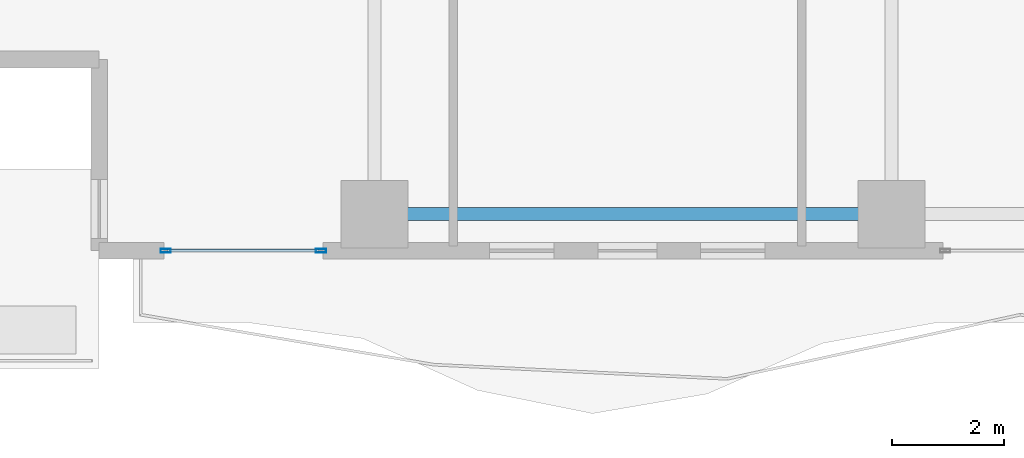
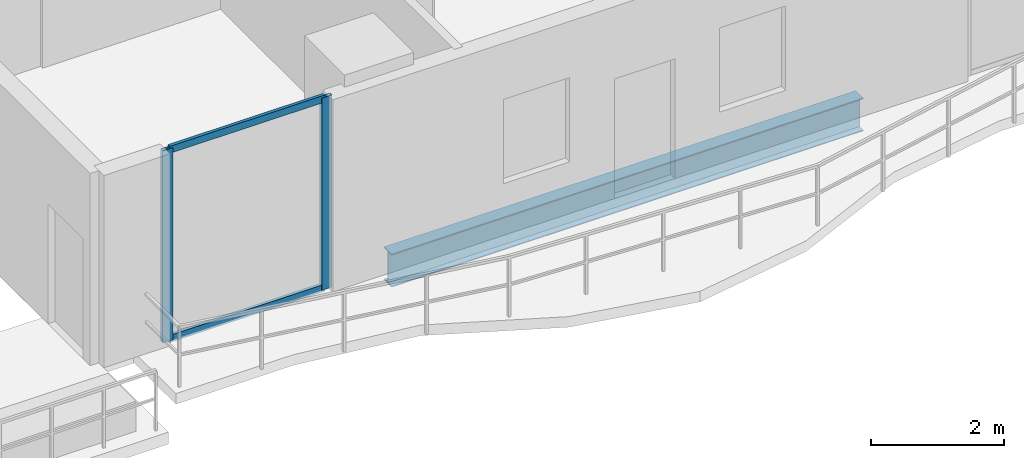
# One storey, part 2 of 32: 4 members, 1 beam, 1 element without a shape of its own.
"""IFC4 building model written with IfcOpenShell, lengths in metres."""

from ifc_helpers import new_model, si_unit, direction, frame, origin, origin_2d, place, context, subcontext, project, spatial, hollow_rectangle, i_section, extrude, material, layer, layer_set, material_profile, profile_set, type_object, element, aggregate, save


model = new_model("IFC4")

# Units and contexts
model_context = context("Model", 3, precision=1e-05, world=origin(), true_north=direction((0.0, 1.0)))
body_context = subcontext(model_context, "Body", "Model", "MODEL_VIEW")
ifc_project = project(units=[si_unit("LENGTHUNIT", "METRE"), si_unit("AREAUNIT", "SQUARE_METRE"), si_unit("VOLUMEUNIT", "CUBIC_METRE"), si_unit("PLANEANGLEUNIT", "RADIAN"), si_unit("MASSUNIT", "GRAM", prefix="KILO")], contexts=[model_context])

# Site, building, storey
site_placement = place(None, origin())
site = spatial("IfcSite", under=ifc_project, at=site_placement, CompositionType="ELEMENT")
building_placement = place(site_placement, origin())
building = spatial("IfcBuilding", under=site, at=building_placement, Name="Zuhayl Quay Hotel", CompositionType="ELEMENT")
storey_placement = place(building_placement, frame((0.0, 0.0, 188.64990234375)))
storey = spatial("IfcBuildingStorey", under=building, at=storey_placement, Name="L47", CompositionType="ELEMENT", Elevation=188.64990234375)

# Beam
ifc_material_1 = material(Name="Steel ASTM A992 Grade 50", Category="steel")
ifc_material_profile_1 = material_profile(ifc_material_1, i_section(OverallWidth=0.22802734375, OverallDepth=0.60693359375, WebThickness=0.01123046875, FlangeThickness=0.017333984375, at=origin_2d()), Name="W24X76")
ifc_profile_set_1 = profile_set([ifc_material_profile_1], Name="Steel ASTM A992 Grade 50")
beam_type = type_object("IfcBeamType", Name="BM_B3_W24X76", PredefinedType="BEAM", material=ifc_profile_set_1)
beam_placement = place(storey_placement, frame((-13.300048828125, -6.949951171875, -0.5234375), z_axis=(1.0, 0.0, 0.0), x_axis=(0.0, 1.0, 0.0)))
element("IfcBeam", 1, at=beam_placement, inside=storey, type_object=beam_type, Name="L47 Floor Beam RG_L47_01", PredefinedType="BEAM", context=body_context, shape_type="SweptSolid", body=[
    extrude(i_section(OverallWidth=0.22802734375, OverallDepth=0.60693359375, WebThickness=0.01123046875, FlangeThickness=0.017333984375, at=origin_2d()), origin(), (0.0, 0.0, 1.0), 8.199951171875),
])

# Curtain wall, members
ifc_material_2 = material(Name="Anodised Aluminium 6063-T6", Category="aluminium")
ifc_layer = layer(ifc_material_2, 0.175048828125, Name="Anodised Aluminium 6063-T6", Category="aluminium")
ifc_layer_set = layer_set([ifc_layer], Name="Anodised Aluminium 6063-T6")
curtain_wall_type = type_object("IfcCurtainWallType", Name="CW_SYS_Z3", PredefinedType="USERDEFINED", material=ifc_layer_set)
curtain_wall_placement = place(storey_placement, origin())
curtain_wall = element("IfcCurtainWall", 2, at=curtain_wall_placement, inside=storey, type_object=curtain_wall_type, Name="L47 Curtain Wall ENV_L47_S_CW5", ObjectType="UNITISED CURTAIN WALL", PredefinedType="USERDEFINED")
ifc_material_3 = material(Name="Black-anodised aluminium 6063-T6", Category="aluminium")
ifc_material_profile_2 = material_profile(ifc_material_3, hollow_rectangle(XDim=0.06494140625, YDim=0.179931640625, WallThickness=0.00341796875, at=origin_2d()), Name="ALU180X65")
ifc_profile_set_2 = profile_set([ifc_material_profile_2], Name="Black-anodised aluminium 6063-T6")
member_type_1 = type_object("IfcMemberType", Name="MB_CW_MUL_180", PredefinedType="MULLION", material=ifc_profile_set_2)
member_1_placement = place(storey_placement, frame((-14.75244140625, -7.60009765625, 0.0), z_axis=(0.0, 0.0, 1.0), x_axis=(0.0, -1.0, 0.0)))
member_1 = element("IfcMember", 3, at=member_1_placement, type_object=member_type_1, Name="CW-Z3 mullion 1", PredefinedType="MULLION", context=body_context, shape_type="SweptSolid", body=[
    extrude(hollow_rectangle(XDim=0.06494140625, YDim=0.179931640625, WallThickness=0.00341796875, at=origin_2d()), origin(), (0.0, 0.0, 1.0), 3.530029296875),
])
member_2_placement = place(storey_placement, frame((-17.517578125, -7.60009765625, 0.0), z_axis=(0.0, 0.0, 1.0), x_axis=(0.0, -1.0, 0.0)))
member_2 = element("IfcMember", 4, at=member_2_placement, type_object=member_type_1, Name="CW-Z3 mullion 2", PredefinedType="MULLION", context=body_context, shape_type="SweptSolid", body=[
    extrude(hollow_rectangle(XDim=0.06494140625, YDim=0.179931640625, WallThickness=0.00341796875, at=origin_2d()), origin(), (0.0, 0.0, 1.0), 3.530029296875),
])
ifc_material_profile_3 = material_profile(ifc_material_3, hollow_rectangle(XDim=0.054931640625, YDim=0.1298828125, WallThickness=0.0029296875, at=origin_2d()), Name="ALU130X55")
ifc_profile_set_3 = profile_set([ifc_material_profile_3], Name="Black-anodised aluminium 6063-T6")
member_type_2 = type_object("IfcMemberType", Name="MB_CW_TRN_130", PredefinedType="USERDEFINED", material=ifc_profile_set_3)
member_3_placement = place(storey_placement, frame((-14.784912109375, -7.60009765625, 0.027587890625), z_axis=(-1.0, 0.0, 0.0), x_axis=(0.0, -1.0, 0.0)))
member_3 = element("IfcMember", 5, at=member_3_placement, type_object=member_type_2, Name="CW-Z3 transom 1.1", ObjectType="TRANSOM", PredefinedType="USERDEFINED", context=body_context, shape_type="SweptSolid", body=[
    extrude(hollow_rectangle(XDim=0.054931640625, YDim=0.1298828125, WallThickness=0.0029296875, at=origin_2d()), origin(), (0.0, 0.0, 1.0), 2.7001953125),
])
member_4_placement = place(storey_placement, frame((-14.784912109375, -7.60009765625, 3.502685546875), z_axis=(-1.0, 0.0, 0.0), x_axis=(0.0, -1.0, 0.0)))
member_4 = element("IfcMember", 6, at=member_4_placement, type_object=member_type_2, Name="CW-Z3 transom 1.2", ObjectType="TRANSOM", PredefinedType="USERDEFINED", context=body_context, shape_type="SweptSolid", body=[
    extrude(hollow_rectangle(XDim=0.054931640625, YDim=0.1298828125, WallThickness=0.0029296875, at=origin_2d()), origin(), (0.0, 0.0, 1.0), 2.7001953125),
])
aggregate(curtain_wall, [member_1, member_2, member_3, member_4])

save(model, "model.ifc")
